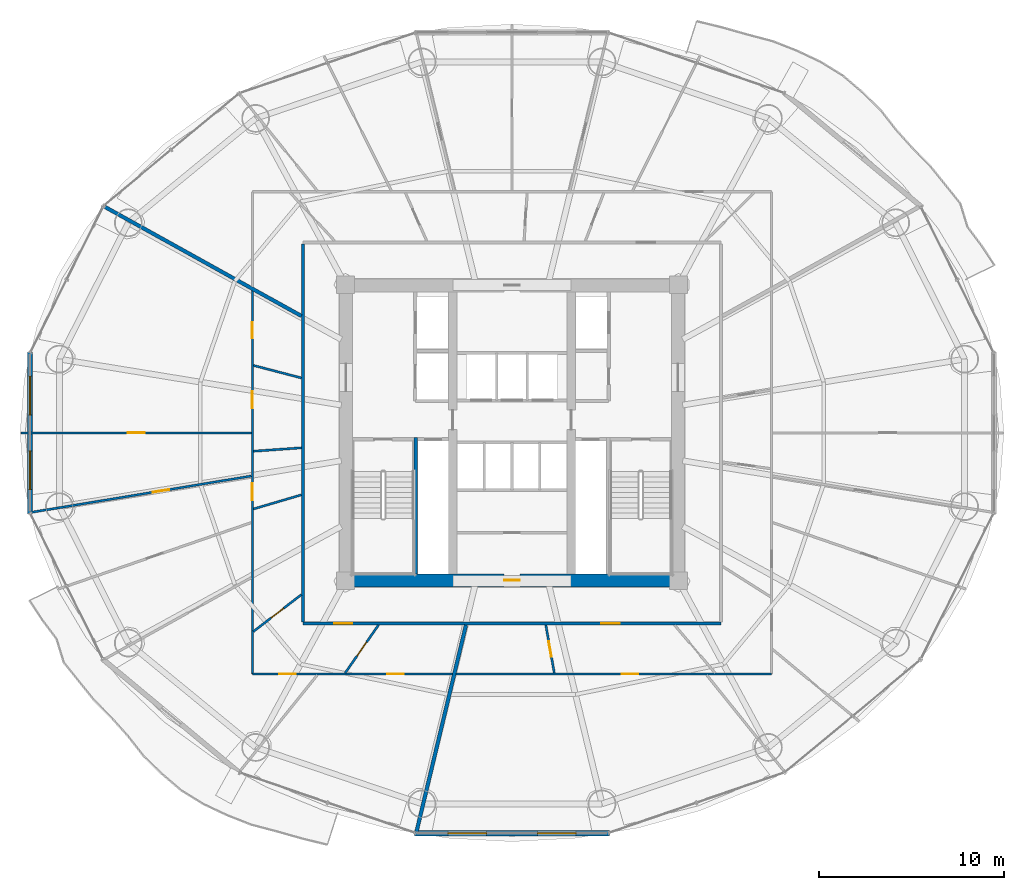
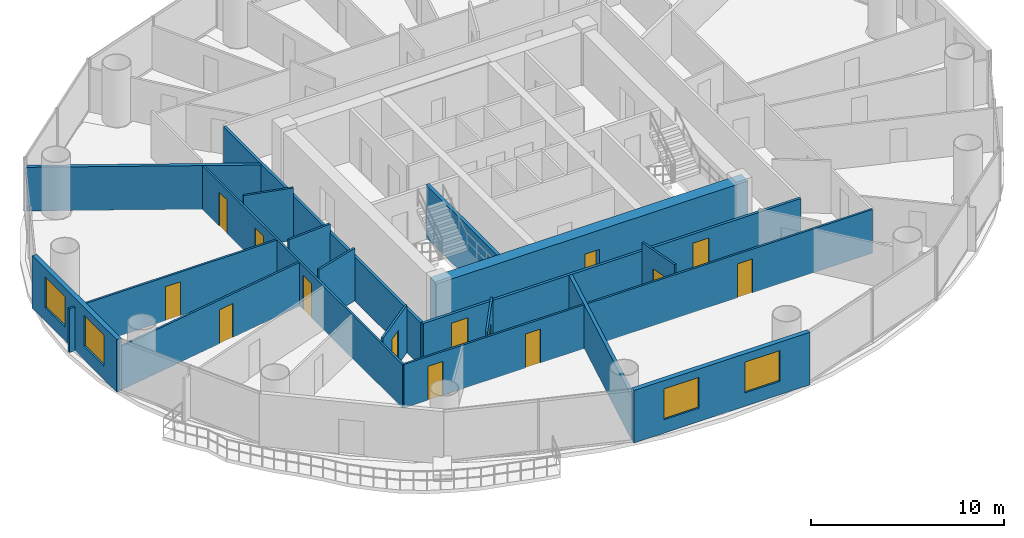
# One storey, part 22 of 29: 19 walls, 14 doors, 4 windows, 18 openings.
"""IFC4 building model written with IfcOpenShell, lengths in metres."""

from ifc_helpers import new_model, si_unit, direction, frame, frame_2d, origin, place, context, subcontext, project, spatial, rectangle, extrude, source, transform, mapped, material, layer, layer_set, type_object, element, fill, save


model = new_model("IFC4")

# Units and contexts
model_context = context("Model", 3, precision=1e-05, world=origin(), true_north=direction((-0.2419218956, 0.970295726276)))
body_context = subcontext(model_context, "Body", "Model", "MODEL_VIEW")
ifc_project = project(units=[si_unit("LENGTHUNIT", "METRE"), si_unit("AREAUNIT", "SQUARE_METRE"), si_unit("VOLUMEUNIT", "CUBIC_METRE"), si_unit("PLANEANGLEUNIT", "RADIAN"), si_unit("MASSUNIT", "GRAM", prefix="KILO")], contexts=[model_context])

# Site, building, storey
site_placement = place(None, origin())
site = spatial("IfcSite", under=ifc_project, at=site_placement, CompositionType="ELEMENT")
building_placement = place(site_placement, origin())
building = spatial("IfcBuilding", under=site, at=building_placement, Name="Cobrevalo Terracotta Tower", CompositionType="ELEMENT")
storey_placement = place(building_placement, frame((0.0, 0.0, 90.60009765625)))
storey = spatial("IfcBuildingStorey", under=building, at=storey_placement, Name="L23", CompositionType="ELEMENT", Elevation=90.60009765625)

# Wall, opening, door
ifc_material_1 = material(Name="Concrete C60", Category="concrete")
ifc_layer_1 = layer(ifc_material_1, 0.699951171875)
ifc_layer_set_1 = layer_set([ifc_layer_1], Name="Concrete C60")
wall_type_1 = type_object("IfcWallType", Name="Core shear wall 700 mm Concrete C60", PredefinedType="SHEAR", material=ifc_layer_set_1)
wall_1_placement = place(storey_placement, frame((28.675048828125, 18.824951171875, 0.0), z_axis=(0.0, 0.0, 1.0), x_axis=(1.0, 0.0, 0.0)))
wall_1 = element("IfcWall", 1, at=wall_1_placement, inside=storey, type_object=wall_type_1, Name="L23 south core shear wall", PredefinedType="SHEAR", context=body_context, shape_type="SweptSolid", body=[
    extrude(rectangle(XDim=18.64990234375, YDim=0.699951171875, at=frame_2d((9.324951171875, 0.0))), origin(), (0.0, 0.0, 1.0), 3.324951171875),
])
opening_1_placement = place(wall_1_placement, frame((8.89990234375, 0.0, 0.0)))
opening_1 = element("IfcOpeningElement", 2, at=opening_1_placement, cuts=wall_1, Name="Opening ID-22", PredefinedType="OPENING", context=body_context, shape_type="SweptSolid", body=[
    extrude(rectangle(XDim=0.85009765625, YDim=2.10009765625, at=frame_2d((0.425048828125, 1.050048828125))), frame((0.0, 0.35986328125, 0.0), z_axis=(0.0, -1.0, 0.0), x_axis=(1.0, 0.0, 0.0)), (0.0, 0.0, 1.0), 0.719970703125),
])
ifc_material_2 = material(Name="Powder-coated steel", Category="steel")
door_type_1 = type_object("IfcDoorType", Name="Riser shaft & meter closet fire access door 850x2100 EI 60", OperationType="NOTDEFINED", PredefinedType="DOOR", material=ifc_material_2)
shared_shape_1 = source(origin(), body_context, "Body", "SweptSolid", [
    extrude(rectangle(XDim=0.85009765625, YDim=2.10009765625, at=frame_2d((0.425048828125, 1.050048828125))), frame((0.0, 0.02490234375, 0.0), z_axis=(0.0, -1.0, 0.0), x_axis=(1.0, 0.0, 0.0)), (0.0, 0.0, 1.0), 0.050048828125),
])
door_1_placement = place(opening_1_placement, origin())
door_1 = element("IfcDoor", 3, at=door_1_placement, inside=storey, type_object=door_type_1, Name="L23 core south plant door Smoke Extract Fan Plant", OperationType="SINGLE_SWING_RIGHT", OverallHeight=2.10009765625, OverallWidth=0.85009765625, PredefinedType="DOOR", context=body_context, shape_type="MappedRepresentation", body=[
    mapped(shared_shape_1, transform((0.0, 0.0, 0.0), scale=1.0)),
])
fill(opening_1, door_1)

# Wall, openings, doors
ifc_material_3 = material(Name="Gypsum board on steel stud", Category="steel")
ifc_layer_2 = layer(ifc_material_3, 0.159912109375)
ifc_layer_set_2 = layer_set([ifc_layer_2], Name="Gypsum board on steel stud")
wall_type_2 = type_object("IfcWallType", Name="Fire-rated corridor acoustic partition wall 160 mm", PredefinedType="PARTITIONING", material=ifc_layer_set_2)
wall_2_placement = place(storey_placement, frame((26.695068359375, 16.4951171875, 0.0), z_axis=(0.0, 0.0, 1.0), x_axis=(1.0, 0.0, 0.0)))
wall_2 = element("IfcWall", 4, at=wall_2_placement, inside=storey, type_object=wall_type_2, Name="L23 interior partition IW-L23-COR-S", PredefinedType="PARTITIONING", context=body_context, shape_type="SweptSolid", body=[
    extrude(rectangle(XDim=22.60986328125, YDim=0.159912109375, at=frame_2d((11.304931640625, 0.0))), origin(), (0.0, 0.0, 1.0), 2.766845703125),
])
opening_2_placement = place(wall_2_placement, frame((1.688232421875, 0.0, 0.0)))
opening_2 = element("IfcOpeningElement", 5, at=opening_2_placement, cuts=wall_2, Name="Opening ID-05", PredefinedType="OPENING", context=body_context, shape_type="SweptSolid", body=[
    extrude(rectangle(XDim=0.97998046875, YDim=2.199951171875, at=frame_2d((0.489990234375, 1.10009765625))), frame((0.0, 0.08984375, 0.0), z_axis=(0.0, -1.0, 0.0), x_axis=(1.0, 0.0, 0.0)), (0.0, 0.0, 1.0), 0.179931640625),
])
opening_3_placement = place(wall_2_placement, frame((16.137451171875, 0.0, 0.0)))
opening_3 = element("IfcOpeningElement", 6, at=opening_3_placement, cuts=wall_2, Name="Opening ID-05", PredefinedType="OPENING", context=body_context, shape_type="SweptSolid", body=[
    extrude(rectangle(XDim=0.97998046875, YDim=2.199951171875, at=frame_2d((0.489990234375, 1.10009765625))), frame((0.0, 0.08984375, 0.0), z_axis=(0.0, -1.0, 0.0), x_axis=(1.0, 0.0, 0.0)), (0.0, 0.0, 1.0), 0.179931640625),
])
ifc_material_4 = material(Name="Solid hardwood timber", Category="wood")
door_type_2 = type_object("IfcDoorType", Name="Residence entrance fire-rated acoustic timber door 980x2200 EI 60", OperationType="NOTDEFINED", PredefinedType="DOOR", material=ifc_material_4)
shared_shape_2 = source(origin(), body_context, "Body", "SweptSolid", [
    extrude(rectangle(XDim=0.97998046875, YDim=2.199951171875, at=frame_2d((0.489990234375, 1.10009765625))), frame((0.0, 0.02490234375, 0.0), z_axis=(0.0, -1.0, 0.0), x_axis=(1.0, 0.0, 0.0)), (0.0, 0.0, 1.0), 0.050048828125),
])
door_2_placement = place(opening_2_placement, frame((0.97998046875, 0.0, 0.0), z_axis=(0.0, 0.0, 1.0), x_axis=(-1.0, 0.0, 0.0)))
door_2 = element("IfcDoor", 7, at=door_2_placement, inside=storey, type_object=door_type_2, Name="Flat L23B fire-rated apartment entrance door", OperationType="SINGLE_SWING_RIGHT", OverallHeight=2.199951171875, OverallWidth=0.97998046875, PredefinedType="DOOR", context=body_context, shape_type="MappedRepresentation", body=[
    mapped(shared_shape_2, transform((0.0, 0.0, 0.0), scale=1.0)),
])
fill(opening_2, door_2)
door_3_placement = place(opening_3_placement, frame((0.97998046875, 0.0, 0.0), z_axis=(0.0, 0.0, 1.0), x_axis=(-1.0, 0.0, 0.0)))
door_3 = element("IfcDoor", 8, at=door_3_placement, inside=storey, type_object=door_type_2, Name="Flat L23C fire-rated apartment entrance door", OperationType="SINGLE_SWING_RIGHT", OverallHeight=2.199951171875, OverallWidth=0.97998046875, PredefinedType="DOOR", context=body_context, shape_type="MappedRepresentation", body=[
    mapped(shared_shape_2, transform((0.0, 0.0, 0.0), scale=1.0)),
])
fill(opening_3, door_3)

# Walls
wall_3_placement = place(storey_placement, frame((26.695068359375, 16.574951171875, 0.0), z_axis=(0.0, 0.0, 1.0), x_axis=(0.0, 1.0, 0.0)))
element("IfcWall", 9, at=wall_3_placement, inside=storey, type_object=wall_type_2, Name="L23 interior partition IW-L23-COR-W", PredefinedType="PARTITIONING", context=body_context, shape_type="SweptSolid", body=[
    extrude(rectangle(XDim=20.449951171875, YDim=0.159912109375, at=frame_2d((10.22509765625, 0.0))), origin(), (0.0, 0.0, 1.0), 2.766845703125),
])
ifc_material_5 = material(Name="Autoclaved aerated concrete block", Category="concrete")
ifc_layer_3 = layer(ifc_material_5, 0.199951171875)
ifc_layer_set_3 = layer_set([ifc_layer_3], Name="Autoclaved aerated concrete block")
wall_type_3 = type_object("IfcWallType", Name="Fire-rated stair, shaft & demising masonry wall 200 mm", PredefinedType="PARTITIONING", material=ifc_layer_set_3)
wall_4_placement = place(storey_placement, frame((26.614990234375, 33.120361328125, 0.0), z_axis=(0.0, 0.0, 1.0), x_axis=(-0.874319192772, 0.485351366692, 0.0)))
element("IfcWall", 10, at=wall_4_placement, inside=storey, type_object=wall_type_3, Name="L23 interior partition IW-L23-DEM-2", PredefinedType="PARTITIONING", context=body_context, shape_type="SweptSolid", body=[
    extrude(rectangle(XDim=12.158447265625, YDim=0.199951171875, at=frame_2d((6.0791015625, 0.0))), origin(), (0.0, 0.0, 1.0), 2.766845703125),
])
wall_5_placement = place(storey_placement, frame((35.513671875, 16.4150390625, 0.0), z_axis=(0.0, 0.0, 1.0), x_axis=(-0.232829417917, -0.972517589636, 0.0)))
element("IfcWall", 11, at=wall_5_placement, inside=storey, type_object=wall_type_3, Name="L23 interior partition IW-L23-DEM-3", PredefinedType="PARTITIONING", context=body_context, shape_type="SweptSolid", body=[
    extrude(rectangle(XDim=11.501953125, YDim=0.199951171875, at=frame_2d((5.7509765625, 0.0))), origin(), (0.0, 0.0, 1.0), 2.766845703125),
])

# Wall, openings, windows
ifc_layer_4 = layer(ifc_material_5, 0.280029296875)
ifc_layer_set_4 = layer_set([ifc_layer_4], Name="Autoclaved aerated concrete block")
wall_type_4 = type_object("IfcWallType", Name="Insulated tower spandrel & pier wall 280 mm with terracotta rainscreen", PredefinedType="SOLIDWALL", material=ifc_layer_set_4)
wall_6_placement = place(storey_placement, frame((11.9404296875, 31.185546875, 0.0), z_axis=(0.0, 0.0, 1.0), x_axis=(0.0, -1.0, 0.0)))
wall_6 = element("IfcWall", 12, at=wall_6_placement, inside=storey, type_object=wall_type_4, Name="L23 terracotta rainscreen pier wall S08", PredefinedType="SOLIDWALL", context=body_context, shape_type="SweptSolid", body=[
    extrude(rectangle(XDim=8.771240234375, YDim=0.280029296875, at=frame_2d((4.3857421875, 0.0))), origin(), (0.0, 0.0, 1.0), 3.324951171875),
])
opening_4_placement = place(wall_6_placement, frame((1.318115234375, 0.0, 0.85009765625)))
opening_4 = element("IfcOpeningElement", 13, at=opening_4_placement, cuts=wall_6, Name="Opening WN-10", PredefinedType="OPENING", context=body_context, shape_type="SweptSolid", body=[
    extrude(rectangle(XDim=2.10009765625, YDim=1.949951171875, at=frame_2d((1.050048828125, 0.97509765625))), frame((0.0, 0.14990234375, 0.0), z_axis=(0.0, -1.0, 0.0), x_axis=(1.0, 0.0, 0.0)), (0.0, 0.0, 1.0), 0.300048828125),
])
opening_5_placement = place(wall_6_placement, frame((5.35302734375, 0.0, 0.85009765625)))
opening_5 = element("IfcOpeningElement", 14, at=opening_5_placement, cuts=wall_6, Name="Opening WN-10", PredefinedType="OPENING", context=body_context, shape_type="SweptSolid", body=[
    extrude(rectangle(XDim=2.10009765625, YDim=1.949951171875, at=frame_2d((1.050048828125, 0.97509765625))), frame((0.0, 0.14990234375, 0.0), z_axis=(0.0, -1.0, 0.0), x_axis=(1.0, 0.0, 0.0)), (0.0, 0.0, 1.0), 0.300048828125),
])
ifc_material_6 = material(Name="Solar-control low-E double glazing", Category="glass")
window_type = type_object("IfcWindowType", Name="Wide panoramic low-E aluminium window 2100x1950", PartitioningType="SINGLE_PANEL", PredefinedType="WINDOW", material=ifc_material_6)
shared_shape_3 = source(origin(), body_context, "Body", "SweptSolid", [
    extrude(rectangle(XDim=2.10009765625, YDim=1.949951171875, at=frame_2d((1.050048828125, 0.97509765625))), frame((0.0, 0.030029296875, 0.0), z_axis=(0.0, -1.0, 0.0), x_axis=(1.0, 0.0, 0.0)), (0.0, 0.0, 1.0), 0.06005859375),
])
window_1_placement = place(opening_4_placement, origin())
window_1 = element("IfcWindow", 15, at=window_1_placement, inside=storey, type_object=window_type, Name="L23 suite window S08A", OverallHeight=1.949951171875, OverallWidth=2.10009765625, PartitioningType="SINGLE_PANEL", PredefinedType="WINDOW", context=body_context, shape_type="MappedRepresentation", body=[
    mapped(shared_shape_3, transform((0.0, 0.0, 0.0), scale=1.0)),
])
fill(opening_4, window_1)
window_2_placement = place(opening_5_placement, origin())
window_2 = element("IfcWindow", 16, at=window_2_placement, inside=storey, type_object=window_type, Name="L23 suite window S08B", OverallHeight=1.949951171875, OverallWidth=2.10009765625, PartitioningType="SINGLE_PANEL", PredefinedType="WINDOW", context=body_context, shape_type="MappedRepresentation", body=[
    mapped(shared_shape_3, transform((0.0, 0.0, 0.0), scale=1.0)),
])
fill(opening_5, window_2)

wall_7_placement = place(storey_placement, frame((32.736328125, 5.154052734375, 0.0), z_axis=(0.0, 0.0, 1.0), x_axis=(1.0, 0.0, 0.0)))
wall_7 = element("IfcWall", 17, at=wall_7_placement, inside=storey, type_object=wall_type_4, Name="L23 terracotta rainscreen pier wall S12", PredefinedType="SOLIDWALL", context=body_context, shape_type="SweptSolid", body=[
    extrude(rectangle(XDim=10.52734375, YDim=0.280029296875, at=frame_2d((5.263671875, 0.0))), origin(), (0.0, 0.0, 1.0), 3.324951171875),
])
opening_6_placement = place(wall_7_placement, frame((1.792236328125, 0.0, 0.85009765625)))
opening_6 = element("IfcOpeningElement", 18, at=opening_6_placement, cuts=wall_7, Name="Opening WN-10", PredefinedType="OPENING", context=body_context, shape_type="SweptSolid", body=[
    extrude(rectangle(XDim=2.10009765625, YDim=1.949951171875, at=frame_2d((1.050048828125, 0.97509765625))), frame((0.0, 0.14990234375, 0.0), z_axis=(0.0, -1.0, 0.0), x_axis=(1.0, 0.0, 0.0)), (0.0, 0.0, 1.0), 0.300048828125),
])
opening_7_placement = place(wall_7_placement, frame((6.634765625, 0.0, 0.85009765625)))
opening_7 = element("IfcOpeningElement", 19, at=opening_7_placement, cuts=wall_7, Name="Opening WN-10", PredefinedType="OPENING", context=body_context, shape_type="SweptSolid", body=[
    extrude(rectangle(XDim=2.10009765625, YDim=1.949951171875, at=frame_2d((1.050048828125, 0.97509765625))), frame((0.0, 0.14990234375, 0.0), z_axis=(0.0, -1.0, 0.0), x_axis=(1.0, 0.0, 0.0)), (0.0, 0.0, 1.0), 0.300048828125),
])
window_3_placement = place(opening_6_placement, origin())
window_3 = element("IfcWindow", 20, at=window_3_placement, inside=storey, type_object=window_type, Name="L23 suite window S12A", OverallHeight=1.949951171875, OverallWidth=2.10009765625, PartitioningType="SINGLE_PANEL", PredefinedType="WINDOW", context=body_context, shape_type="MappedRepresentation", body=[
    mapped(shared_shape_3, transform((0.0, 0.0, 0.0), scale=1.0)),
])
fill(opening_6, window_3)
window_4_placement = place(opening_7_placement, origin())
window_4 = element("IfcWindow", 21, at=window_4_placement, inside=storey, type_object=window_type, Name="L23 suite window S12B", OverallHeight=1.949951171875, OverallWidth=2.10009765625, PartitioningType="SINGLE_PANEL", PredefinedType="WINDOW", context=body_context, shape_type="MappedRepresentation", body=[
    mapped(shared_shape_3, transform((0.0, 0.0, 0.0), scale=1.0)),
])
fill(opening_7, window_4)

# Wall, openings, doors
ifc_layer_5 = layer(ifc_material_3, 0.1201171875)
ifc_layer_set_5 = layer_set([ifc_layer_5], Name="Gypsum board on steel stud")
wall_type_5 = type_object("IfcWallType", Name="Residential internal acoustic stud partition 120 mm", PredefinedType="PARTITIONING", material=ifc_layer_set_5)
wall_8_placement = place(storey_placement, frame((34.77734375, 13.764892578125, 0.0), z_axis=(0.0, 0.0, 1.0), x_axis=(-1.0, 0.0, 0.0)))
wall_8 = element("IfcWall", 22, at=wall_8_placement, inside=storey, type_object=wall_type_5, Name="L23 interior partition IW-L23-U2-RING0_0", PredefinedType="PARTITIONING", context=body_context, shape_type="SweptSolid", body=[
    extrude(rectangle(XDim=10.812255859375, YDim=0.1201171875, at=frame_2d((5.40625, 0.0))), origin(), (0.0, 0.0, 1.0), 2.766845703125),
])
opening_8_placement = place(wall_8_placement, frame((8.46630859375, 0.0, 0.0)))
opening_8 = element("IfcOpeningElement", 23, at=opening_8_placement, cuts=wall_8, Name="Opening ID-12", PredefinedType="OPENING", context=body_context, shape_type="SweptSolid", body=[
    extrude(rectangle(XDim=0.89990234375, YDim=2.14990234375, at=frame_2d((0.449951171875, 1.074951171875))), frame((0.0, 0.070068359375, 0.0), z_axis=(0.0, -1.0, 0.0), x_axis=(1.0, 0.0, 0.0)), (0.0, 0.0, 1.0), 0.14013671875),
])
opening_9_placement = place(wall_8_placement, frame((2.627685546875, 0.0, 0.0)))
opening_9 = element("IfcOpeningElement", 24, at=opening_9_placement, cuts=wall_8, Name="Opening ID-12", PredefinedType="OPENING", context=body_context, shape_type="SweptSolid", body=[
    extrude(rectangle(XDim=0.89990234375, YDim=2.14990234375, at=frame_2d((0.449951171875, 1.074951171875))), frame((0.0, 0.070068359375, 0.0), z_axis=(0.0, -1.0, 0.0), x_axis=(1.0, 0.0, 0.0)), (0.0, 0.0, 1.0), 0.14013671875),
])
ifc_material_7 = material(Name="Engineered timber", Category="wood")
door_type_3 = type_object("IfcDoorType", Name="Internal residence & suite timber door 900x2150", OperationType="NOTDEFINED", PredefinedType="DOOR", material=ifc_material_7)
shared_shape_4 = source(origin(), body_context, "Body", "SweptSolid", [
    extrude(rectangle(XDim=0.89990234375, YDim=2.14990234375, at=frame_2d((0.449951171875, 1.074951171875))), frame((0.0, 0.02490234375, 0.0), z_axis=(0.0, -1.0, 0.0), x_axis=(1.0, 0.0, 0.0)), (0.0, 0.0, 1.0), 0.050048828125),
])
door_4_placement = place(opening_8_placement, frame((0.89990234375, 0.0, 0.0), z_axis=(0.0, 0.0, 1.0), x_axis=(-1.0, 0.0, 0.0)))
door_4 = element("IfcDoor", 25, at=door_4_placement, inside=storey, type_object=door_type_3, Name="Flat L23B Penthouse Family Lounge internal door", OperationType="SINGLE_SWING_LEFT", OverallHeight=2.14990234375, OverallWidth=0.89990234375, PredefinedType="DOOR", context=body_context, shape_type="MappedRepresentation", body=[
    mapped(shared_shape_4, transform((0.0, 0.0, 0.0), scale=1.0)),
])
fill(opening_8, door_4)
door_5_placement = place(opening_9_placement, origin())
door_5 = element("IfcDoor", 26, at=door_5_placement, inside=storey, type_object=door_type_3, Name="Flat L23B Penthouse Family Lounge internal door", OperationType="SINGLE_SWING_RIGHT", OverallHeight=2.14990234375, OverallWidth=0.89990234375, PredefinedType="DOOR", context=body_context, shape_type="MappedRepresentation", body=[
    mapped(shared_shape_4, transform((0.0, 0.0, 0.0), scale=1.0)),
])
fill(opening_9, door_5)

wall_9_placement = place(storey_placement, frame((23.965087890625, 13.764892578125, 0.0), z_axis=(0.0, 0.0, 1.0), x_axis=(0.0, 1.0, 0.0)))
wall_9 = element("IfcWall", 27, at=wall_9_placement, inside=storey, type_object=wall_type_5, Name="L23 interior partition IW-L23-U2-RING1_0", PredefinedType="PARTITIONING", context=body_context, shape_type="SweptSolid", body=[
    extrude(rectangle(XDim=20.724609375, YDim=0.1201171875, at=frame_2d((10.3623046875, 0.0))), origin(), (0.0, 0.0, 1.0), 2.766845703125),
])
opening_10_placement = place(wall_9_placement, frame((9.400634765625, 0.0, 0.0)))
opening_10 = element("IfcOpeningElement", 28, at=opening_10_placement, cuts=wall_9, Name="Opening ID-12", PredefinedType="OPENING", context=body_context, shape_type="SweptSolid", body=[
    extrude(rectangle(XDim=0.89990234375, YDim=2.14990234375, at=frame_2d((0.449951171875, 1.074951171875))), frame((0.0, 0.070068359375, 0.0), z_axis=(0.0, -1.0, 0.0), x_axis=(1.0, 0.0, 0.0)), (0.0, 0.0, 1.0), 0.14013671875),
])
opening_11_placement = place(wall_9_placement, frame((18.156982421875, 0.0, 0.0)))
opening_11 = element("IfcOpeningElement", 29, at=opening_11_placement, cuts=wall_9, Name="Opening ID-19", PredefinedType="OPENING", context=body_context, shape_type="SweptSolid", body=[
    extrude(rectangle(XDim=0.860107421875, YDim=2.14990234375, at=frame_2d((0.43017578125, 1.074951171875))), frame((0.0, 0.070068359375, 0.0), z_axis=(0.0, -1.0, 0.0), x_axis=(1.0, 0.0, 0.0)), (0.0, 0.0, 1.0), 0.14013671875),
])
opening_12_placement = place(wall_9_placement, frame((14.376220703125, 0.0, 0.0)))
opening_12 = element("IfcOpeningElement", 30, at=opening_12_placement, cuts=wall_9, Name="Opening ID-12", PredefinedType="OPENING", context=body_context, shape_type="SweptSolid", body=[
    extrude(rectangle(XDim=0.89990234375, YDim=2.14990234375, at=frame_2d((0.449951171875, 1.074951171875))), frame((0.0, 0.070068359375, 0.0), z_axis=(0.0, -1.0, 0.0), x_axis=(1.0, 0.0, 0.0)), (0.0, 0.0, 1.0), 0.14013671875),
])
ifc_material_8 = material(Name="Moisture-sealed timber", Category="wood")
door_type_4 = type_object("IfcDoorType", Name="Suite bathroom internal timber door 860x2150", OperationType="NOTDEFINED", PredefinedType="DOOR", material=ifc_material_8)
shared_shape_5 = source(origin(), body_context, "Body", "SweptSolid", [
    extrude(rectangle(XDim=0.860107421875, YDim=2.14990234375, at=frame_2d((0.43017578125, 1.074951171875))), frame((0.0, 0.02490234375, 0.0), z_axis=(0.0, -1.0, 0.0), x_axis=(1.0, 0.0, 0.0)), (0.0, 0.0, 1.0), 0.050048828125),
])
door_6_placement = place(opening_11_placement, frame((0.860107421875, 0.0, 0.0), z_axis=(0.0, 0.0, 1.0), x_axis=(-1.0, 0.0, 0.0)))
door_6 = element("IfcDoor", 31, at=door_6_placement, inside=storey, type_object=door_type_4, Name="Flat L23B Guest Bathroom internal door", OperationType="SINGLE_SWING_RIGHT", OverallHeight=2.14990234375, OverallWidth=0.860107421875, PredefinedType="DOOR", context=body_context, shape_type="MappedRepresentation", body=[
    mapped(shared_shape_5, transform((0.0, 0.0, 0.0), scale=1.0)),
])
fill(opening_11, door_6)
door_7_placement = place(opening_10_placement, frame((0.89990234375, 0.0, 0.0), z_axis=(0.0, 0.0, 1.0), x_axis=(-1.0, 0.0, 0.0)))
door_7 = element("IfcDoor", 32, at=door_7_placement, inside=storey, type_object=door_type_3, Name="Flat L23B Utility Closet internal door", OperationType="SINGLE_SWING_LEFT", OverallHeight=2.14990234375, OverallWidth=0.89990234375, PredefinedType="DOOR", context=body_context, shape_type="MappedRepresentation", body=[
    mapped(shared_shape_4, transform((0.0, 0.0, 0.0), scale=1.0)),
])
fill(opening_10, door_7)
door_8_placement = place(opening_12_placement, frame((0.89990234375, 0.0, 0.0), z_axis=(0.0, 0.0, 1.0), x_axis=(-1.0, 0.0, 0.0)))
door_8 = element("IfcDoor", 33, at=door_8_placement, inside=storey, type_object=door_type_3, Name="Flat L23B Private Wellness Room internal door", OperationType="SINGLE_SWING_LEFT", OverallHeight=2.14990234375, OverallWidth=0.89990234375, PredefinedType="DOOR", context=body_context, shape_type="MappedRepresentation", body=[
    mapped(shared_shape_4, transform((0.0, 0.0, 0.0), scale=1.0)),
])
fill(opening_12, door_8)

# Wall, opening, door
wall_10_placement = place(storey_placement, frame((23.903076171875, 26.800048828125, 0.0), z_axis=(0.0, 0.0, 1.0), x_axis=(-1.0, 0.0, 0.0)))
wall_10 = element("IfcWall", 34, at=wall_10_placement, inside=storey, type_object=wall_type_5, Name="L23 interior partition IW-L23-U2-ORAD1", PredefinedType="PARTITIONING", context=body_context, shape_type="SweptSolid", body=[
    extrude(rectangle(XDim=12.443115234375, YDim=0.1201171875, at=frame_2d((6.2216796875, 0.0))), origin(), (0.0, 0.0, 1.0), 2.766845703125),
])
opening_13_placement = place(wall_10_placement, frame((5.771484375, 0.0, 0.0)))
opening_13 = element("IfcOpeningElement", 35, at=opening_13_placement, cuts=wall_10, Name="Opening ID-12", PredefinedType="OPENING", context=body_context, shape_type="SweptSolid", body=[
    extrude(rectangle(XDim=0.89990234375, YDim=2.14990234375, at=frame_2d((0.449951171875, 1.074951171875))), frame((0.0, 0.070068359375, 0.0), z_axis=(0.0, -1.0, 0.0), x_axis=(1.0, 0.0, 0.0)), (0.0, 0.0, 1.0), 0.14013671875),
])
door_9_placement = place(opening_13_placement, frame((0.89990234375, 0.0, 0.0), z_axis=(0.0, 0.0, 1.0), x_axis=(-1.0, 0.0, 0.0)))
door_9 = element("IfcDoor", 36, at=door_9_placement, inside=storey, type_object=door_type_3, Name="Flat L23B Penthouse Living and Dining Room internal door", OperationType="SINGLE_SWING_LEFT", OverallHeight=2.14990234375, OverallWidth=0.89990234375, PredefinedType="DOOR", context=body_context, shape_type="MappedRepresentation", body=[
    mapped(shared_shape_4, transform((0.0, 0.0, 0.0), scale=1.0)),
])
fill(opening_13, door_9)

wall_11_placement = place(storey_placement, frame((23.90380859375, 24.470458984375, 0.0), z_axis=(0.0, 0.0, 1.0), x_axis=(-0.986618264768, -0.163047231274, 0.0)))
wall_11 = element("IfcWall", 37, at=wall_11_placement, inside=storey, type_object=wall_type_5, Name="L23 interior partition IW-L23-U2-ORAD2M1", PredefinedType="PARTITIONING", context=body_context, shape_type="SweptSolid", body=[
    extrude(rectangle(XDim=12.038818359375, YDim=0.1201171875, at=frame_2d((6.01953125, 0.0))), origin(), (0.0, 0.0, 1.0), 2.766845703125),
])
opening_14_placement = place(wall_11_placement, frame((4.495849609375, 0.0, 0.0)))
opening_14 = element("IfcOpeningElement", 38, at=opening_14_placement, cuts=wall_11, Name="Opening ID-12", PredefinedType="OPENING", context=body_context, shape_type="SweptSolid", body=[
    extrude(rectangle(XDim=0.89990234375, YDim=2.14990234375, at=frame_2d((0.449951171875, 1.074951171875))), frame((0.0, 0.070068359375, 0.0), z_axis=(0.0, -1.0, 0.0), x_axis=(1.0, 0.0, 0.0)), (0.0, 0.0, 1.0), 0.14013671875),
])
door_10_placement = place(opening_14_placement, frame((0.89990234375, 0.0, 0.0), z_axis=(0.0, 0.0, 1.0), x_axis=(-1.0, 0.0, 0.0)))
door_10 = element("IfcDoor", 39, at=door_10_placement, inside=storey, type_object=door_type_3, Name="Flat L23B Master Bedroom internal door", OperationType="SINGLE_SWING_RIGHT", OverallHeight=2.14990234375, OverallWidth=0.89990234375, PredefinedType="DOOR", context=body_context, shape_type="MappedRepresentation", body=[
    mapped(shared_shape_4, transform((0.0, 0.0, 0.0), scale=1.0)),
])
fill(opening_14, door_10)

# Walls
wall_12_placement = place(storey_placement, frame((26.614990234375, 29.77099609375, 0.0), z_axis=(0.0, 0.0, 1.0), x_axis=(-0.967585302816, 0.252544415449, 0.0)))
element("IfcWall", 40, at=wall_12_placement, inside=storey, type_object=wall_type_5, Name="L23 interior partition IW-L23-U2-IRAD1", PredefinedType="PARTITIONING", context=body_context, shape_type="SweptSolid", body=[
    extrude(rectangle(XDim=2.6767578125, YDim=0.1201171875, at=frame_2d((1.33837890625, 0.0))), origin(), (0.0, 0.0, 1.0), 3.324951171875),
])
wall_13_placement = place(storey_placement, frame((26.614990234375, 25.9931640625, 0.0), z_axis=(0.0, 0.0, 1.0), x_axis=(-0.997500084777, -0.070665273433, 0.0)))
element("IfcWall", 41, at=wall_13_placement, inside=storey, type_object=wall_type_5, Name="L23 interior partition IW-L23-U2-IRAD2", PredefinedType="PARTITIONING", context=body_context, shape_type="SweptSolid", body=[
    extrude(rectangle(XDim=2.5947265625, YDim=0.1201171875, at=frame_2d((1.29736328125, 0.0))), origin(), (0.0, 0.0, 1.0), 3.324951171875),
])
wall_14_placement = place(storey_placement, frame((26.614990234375, 23.450439453125, 0.0), z_axis=(0.0, 0.0, 1.0), x_axis=(-0.959338143787, -0.282259323806, 0.0)))
element("IfcWall", 42, at=wall_14_placement, inside=storey, type_object=wall_type_5, Name="L23 interior partition IW-L23-U2-IRAD3", PredefinedType="PARTITIONING", context=body_context, shape_type="SweptSolid", body=[
    extrude(rectangle(XDim=2.700439453125, YDim=0.1201171875, at=frame_2d((1.35009765625, 0.0))), origin(), (0.0, 0.0, 1.0), 3.324951171875),
])

# Wall, opening, door
wall_15_placement = place(storey_placement, frame((26.614990234375, 18.05615234375, 0.0), z_axis=(0.0, 0.0, 1.0), x_axis=(-0.79311360735, -0.609073727751, 0.0)))
wall_15 = element("IfcWall", 43, at=wall_15_placement, inside=storey, type_object=wall_type_5, Name="L23 interior partition IW-L23-U2-IRAD4", PredefinedType="PARTITIONING", context=body_context, shape_type="SweptSolid", body=[
    extrude(rectangle(XDim=3.279296875, YDim=0.1201171875, at=frame_2d((1.6396484375, 0.0))), origin(), (0.0, 0.0, 1.0), 3.00390625),
])
opening_15_placement = place(wall_15_placement, frame((1.209716796875, 0.0, 0.0)))
opening_15 = element("IfcOpeningElement", 44, at=opening_15_placement, cuts=wall_15, Name="Opening ID-19", PredefinedType="OPENING", context=body_context, shape_type="SweptSolid", body=[
    extrude(rectangle(XDim=0.860107421875, YDim=2.14990234375, at=frame_2d((0.43017578125, 1.074951171875))), frame((0.0, 0.070068359375, 0.0), z_axis=(0.0, -1.0, 0.0), x_axis=(1.0, 0.0, 0.0)), (0.0, 0.0, 1.0), 0.14013671875),
])
door_11_placement = place(opening_15_placement, frame((0.860107421875, 0.0, 0.0), z_axis=(0.0, 0.0, 1.0), x_axis=(-1.0, 0.0, 0.0)))
door_11 = element("IfcDoor", 45, at=door_11_placement, inside=storey, type_object=door_type_4, Name="Flat L23B Primary Bathroom internal door", OperationType="SINGLE_SWING_LEFT", OverallHeight=2.14990234375, OverallWidth=0.860107421875, PredefinedType="DOOR", context=body_context, shape_type="MappedRepresentation", body=[
    mapped(shared_shape_5, transform((0.0, 0.0, 0.0), scale=1.0)),
])
fill(opening_15, door_11)

wall_16_placement = place(storey_placement, frame((30.783447265625, 16.4150390625, 0.0), z_axis=(0.0, 0.0, 1.0), x_axis=(-0.570653089326, -0.821191239385, 0.0)))
wall_16 = element("IfcWall", 46, at=wall_16_placement, inside=storey, type_object=wall_type_5, Name="L23 interior partition IW-L23-U2-IRAD5", PredefinedType="PARTITIONING", context=body_context, shape_type="SweptSolid", body=[
    extrude(rectangle(XDim=3.1650390625, YDim=0.1201171875, at=frame_2d((1.58251953125, 0.0))), origin(), (0.0, 0.0, 1.0), 3.00390625),
])
opening_16_placement = place(wall_16_placement, frame((1.132568359375, 0.0, 0.0)))
opening_16 = element("IfcOpeningElement", 47, at=opening_16_placement, cuts=wall_16, Name="Opening ID-12", PredefinedType="OPENING", context=body_context, shape_type="SweptSolid", body=[
    extrude(rectangle(XDim=0.89990234375, YDim=2.14990234375, at=frame_2d((0.449951171875, 1.074951171875))), frame((0.0, 0.070068359375, 0.0), z_axis=(0.0, -1.0, 0.0), x_axis=(1.0, 0.0, 0.0)), (0.0, 0.0, 1.0), 0.14013671875),
])
door_12_placement = place(opening_16_placement, origin())
door_12 = element("IfcDoor", 48, at=door_12_placement, inside=storey, type_object=door_type_3, Name="Flat L23B Kitchen internal door", OperationType="SINGLE_SWING_RIGHT", OverallHeight=2.14990234375, OverallWidth=0.89990234375, PredefinedType="DOOR", context=body_context, shape_type="MappedRepresentation", body=[
    mapped(shared_shape_4, transform((0.0, 0.0, 0.0), scale=1.0)),
])
fill(opening_16, door_12)

wall_17_placement = place(storey_placement, frame((52.034912109375, 13.764892578125, 0.0), z_axis=(0.0, 0.0, 1.0), x_axis=(-1.0, 0.0, 0.0)))
wall_17 = element("IfcWall", 49, at=wall_17_placement, inside=storey, type_object=wall_type_5, Name="L23 interior partition IW-L23-U3-RING1_0", PredefinedType="PARTITIONING", context=body_context, shape_type="SweptSolid", body=[
    extrude(rectangle(XDim=17.0537109375, YDim=0.1201171875, at=frame_2d((8.52685546875, 0.0))), origin(), (0.0, 0.0, 1.0), 2.766845703125),
])
opening_17_placement = place(wall_17_placement, frame((7.203369140625, 0.0, 0.0)))
opening_17 = element("IfcOpeningElement", 50, at=opening_17_placement, cuts=wall_17, Name="Opening ID-12", PredefinedType="OPENING", context=body_context, shape_type="SweptSolid", body=[
    extrude(rectangle(XDim=0.89990234375, YDim=2.14990234375, at=frame_2d((0.449951171875, 1.074951171875))), frame((0.0, 0.070068359375, 0.0), z_axis=(0.0, -1.0, 0.0), x_axis=(1.0, 0.0, 0.0)), (0.0, 0.0, 1.0), 0.14013671875),
])
door_13_placement = place(opening_17_placement, origin())
door_13 = element("IfcDoor", 51, at=door_13_placement, inside=storey, type_object=door_type_3, Name="Flat L23C Penthouse Living and Dining Room internal door", OperationType="SINGLE_SWING_RIGHT", OverallHeight=2.14990234375, OverallWidth=0.89990234375, PredefinedType="DOOR", context=body_context, shape_type="MappedRepresentation", body=[
    mapped(shared_shape_4, transform((0.0, 0.0, 0.0), scale=1.0)),
])
fill(opening_17, door_13)

wall_18_placement = place(storey_placement, frame((39.8291015625, 16.4150390625, 0.0), z_axis=(0.0, 0.0, 1.0), x_axis=(0.173488627881, -0.984835872618, 0.0)))
wall_18 = element("IfcWall", 52, at=wall_18_placement, inside=storey, type_object=wall_type_5, Name="L23 interior partition IW-L23-U3-IRAD1", PredefinedType="PARTITIONING", context=body_context, shape_type="SweptSolid", body=[
    extrude(rectangle(XDim=2.628662109375, YDim=0.1201171875, at=frame_2d((1.314453125, 0.0))), origin(), (0.0, 0.0, 1.0), 3.324951171875),
])
opening_18_placement = place(wall_18_placement, frame((0.884521484375, 0.0, 0.0)))
opening_18 = element("IfcOpeningElement", 53, at=opening_18_placement, cuts=wall_18, Name="Opening ID-19", PredefinedType="OPENING", context=body_context, shape_type="SweptSolid", body=[
    extrude(rectangle(XDim=0.860107421875, YDim=2.14990234375, at=frame_2d((0.43017578125, 1.074951171875))), frame((0.0, 0.070068359375, 0.0), z_axis=(0.0, -1.0, 0.0), x_axis=(1.0, 0.0, 0.0)), (0.0, 0.0, 1.0), 0.14013671875),
])
door_14_placement = place(opening_18_placement, frame((0.860107421875, 0.0, 0.0), z_axis=(0.0, 0.0, 1.0), x_axis=(-1.0, 0.0, 0.0)))
door_14 = element("IfcDoor", 54, at=door_14_placement, inside=storey, type_object=door_type_4, Name="Flat L23C Primary Bathroom internal door", OperationType="SINGLE_SWING_LEFT", OverallHeight=2.14990234375, OverallWidth=0.860107421875, PredefinedType="DOOR", context=body_context, shape_type="MappedRepresentation", body=[
    mapped(shared_shape_5, transform((0.0, 0.0, 0.0), scale=1.0)),
])
fill(opening_18, door_14)

# Wall
ifc_material_9 = material(Name="Concrete C50", Category="concrete")
ifc_layer_6 = layer(ifc_material_9, 0.199951171875)
ifc_layer_set_6 = layer_set([ifc_layer_6], Name="Concrete C50")
wall_type_6 = type_object("IfcWallType", Name="Structural core & podium stair-shaft RC wall 200 mm Concrete C50", PredefinedType="SOLIDWALL", material=ifc_layer_set_6)
wall_19_placement = place(storey_placement, frame((32.794921875, 19.175048828125, 0.0), z_axis=(0.0, 0.0, 1.0), x_axis=(0.0, 1.0, 0.0)))
element("IfcWall", 55, at=wall_19_placement, inside=storey, type_object=wall_type_6, Name="L23 ST-1 east structural shaft wall", PredefinedType="SOLIDWALL", context=body_context, shape_type="SweptSolid", body=[
    extrude(rectangle(XDim=7.375, YDim=0.199951171875, at=frame_2d((3.6875, 0.0))), origin(), (0.0, 0.0, 1.0), 3.324951171875),
])

save(model, "model.ifc")
